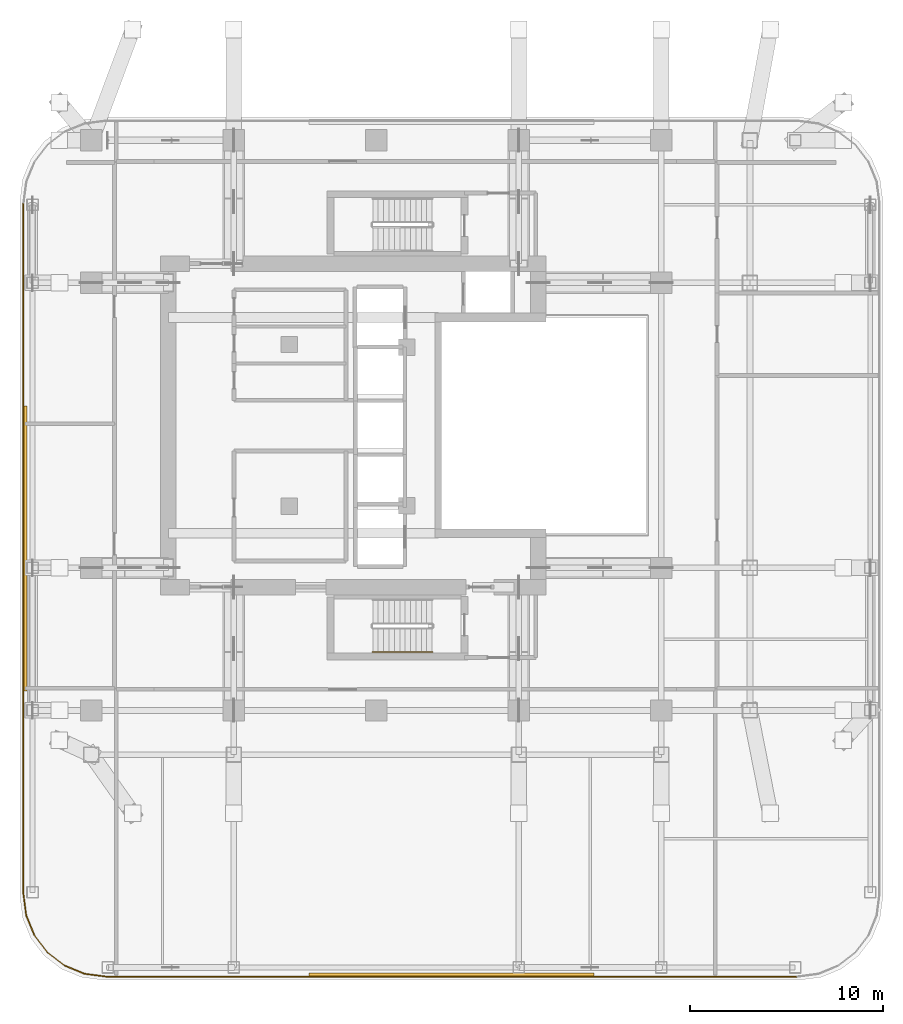
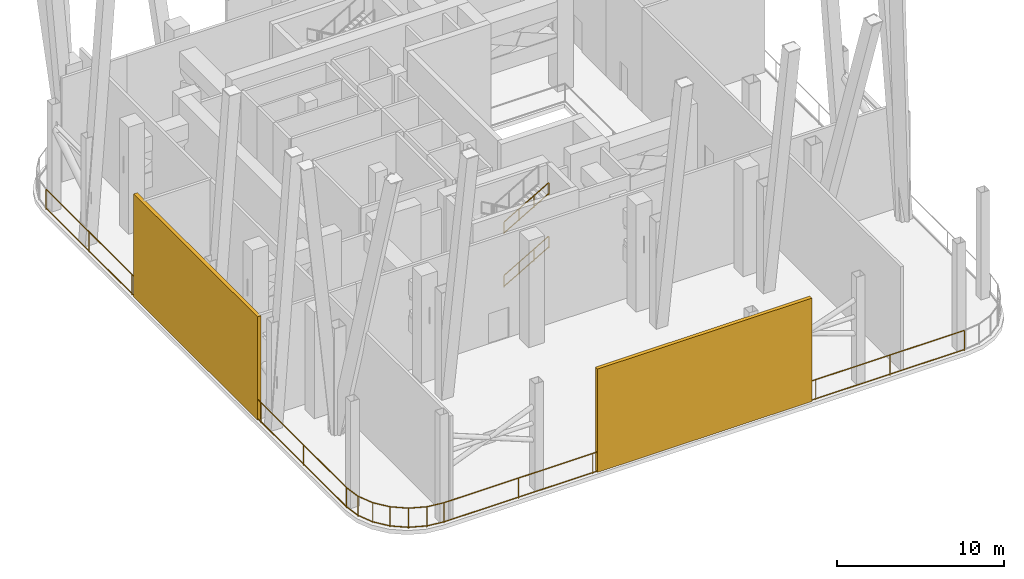
# One storey, part 7 of 9: 10 railings, 2 shading devices.
"""IFC4 building model written with IfcOpenShell, lengths in metres."""

from ifc_helpers import new_model, si_unit, direction, frame, origin, origin_2d, place, context, subcontext, project, spatial, rectangle, extrude, material, layer, layer_set, type_object, element, save


model = new_model("IFC4")

# Units and contexts
model_context = context("Model", 3, precision=1e-05, world=origin(), true_north=direction((0.0, 1.0)))
body_context = subcontext(model_context, "Body", "Model", "MODEL_VIEW")
ifc_project = project(units=[si_unit("LENGTHUNIT", "METRE"), si_unit("AREAUNIT", "SQUARE_METRE"), si_unit("VOLUMEUNIT", "CUBIC_METRE"), si_unit("PLANEANGLEUNIT", "RADIAN"), si_unit("MASSUNIT", "GRAM", prefix="KILO")], contexts=[model_context])

# Site, building, storey
site_placement = place(None, origin())
site = spatial("IfcSite", under=ifc_project, at=site_placement, CompositionType="ELEMENT")
building_placement = place(site_placement, origin())
building = spatial("IfcBuilding", under=site, at=building_placement, Name="Khorvyn Point Tower", CompositionType="ELEMENT")
storey_placement = place(building_placement, frame((0.0, 0.0, 235.199951171875)))
storey = spatial("IfcBuildingStorey", under=building, at=storey_placement, Name="L58", CompositionType="ELEMENT", Elevation=235.199951171875)

# Shading devices
ifc_material_1 = material(Name="Pale anodised aluminium 6063-T6", Category="aluminium")
ifc_layer = layer(ifc_material_1, 0.25)
ifc_layer_set = layer_set([ifc_layer], Name="Acoustic Hurricane-Louvre Plant Screen")
shading_device_type = type_object("IfcShadingDeviceType", Name="Acoustic Hurricane-Louvre Plant Screen", PredefinedType="JALOUSIE", material=ifc_layer_set)
shading_device_1_placement = place(storey_placement, frame((3.89990234375, -28.550048828125, 0.02001953125), z_axis=(0.0, 0.0, 1.0), x_axis=(1.0, 0.0, 0.0)))
element("IfcShadingDevice", 1, at=shading_device_1_placement, inside=storey, type_object=shading_device_type, Name="L58 Acoustic Hurricane Plant Louvre S", PredefinedType="JALOUSIE", context=body_context, shape_type="SweptSolid", body=[
    extrude(rectangle(XDim=14.800048828125, YDim=0.25, at=origin_2d()), origin(), (0.0, 0.0, 1.0), 7.5400390625),
])
shading_device_2_placement = place(storey_placement, frame((-18.25, -6.39990234375, 0.02001953125), z_axis=(0.0, 0.0, 1.0), x_axis=(1.0, 0.0, 0.0)))
element("IfcShadingDevice", 2, at=shading_device_2_placement, inside=storey, type_object=shading_device_type, Name="L58 Acoustic Hurricane Plant Louvre W", PredefinedType="JALOUSIE", context=body_context, shape_type="SweptSolid", body=[
    extrude(rectangle(XDim=0.25, YDim=14.800048828125, at=origin_2d()), origin(), (0.0, 0.0, 1.0), 7.5400390625),
])

# Railings
ifc_material_2 = material(Name="Stainless steel 1.4401", Category="steel")
railing_type_1 = type_object("IfcRailingType", Name="School Terrace Anti-Climb Safety Guardrail 1500", PredefinedType="GUARDRAIL", material=ifc_material_2)
railing_1_placement = place(storey_placement, frame((-18.32080078125, 11.55517578125, 0.0)))
element("IfcRailing", 3, at=railing_1_placement, inside=storey, type_object=railing_type_1, Name="L58 Open Wind-Floor Perimeter Guardrail 21", PredefinedType="GUARDRAIL", context=body_context, shape_type="SweptSolid", body=[
    extrude(rectangle(XDim=0.048095703125, YDim=0.048095703125, at=origin_2d()), frame((0.0, 0.0, 1.47607421875), z_axis=(0.0, -1.0, 0.0), x_axis=(1.0, 0.0, 0.0)), (0.0, 0.0, 1.0), 35.910400390625),
    extrude(rectangle(XDim=0.048095703125, YDim=0.048095703125, at=origin_2d()), frame((0.0, 0.0, 0.080078125), z_axis=(0.0, -1.0, 0.0), x_axis=(1.0, 0.0, 0.0)), (0.0, 0.0, 1.0), 35.910400390625),
    extrude(rectangle(XDim=0.0419921875, YDim=0.0419921875, at=origin_2d()), origin(), (0.0, 0.0, 1.0), 1.451904296875),
    extrude(rectangle(XDim=0.0419921875, YDim=0.0419921875, at=origin_2d()), frame((0.0, -5.130126953125, 0.0)), (0.0, 0.0, 1.0), 1.451904296875),
    extrude(rectangle(XDim=0.0419921875, YDim=0.0419921875, at=origin_2d()), frame((0.0, -10.260009765625, 0.0)), (0.0, 0.0, 1.0), 1.451904296875),
    extrude(rectangle(XDim=0.0419921875, YDim=0.0419921875, at=origin_2d()), frame((0.0, -15.39013671875, 0.0)), (0.0, 0.0, 1.0), 1.451904296875),
    extrude(rectangle(XDim=0.0419921875, YDim=0.0419921875, at=origin_2d()), frame((0.0, -20.520263671875, 0.0)), (0.0, 0.0, 1.0), 1.451904296875),
    extrude(rectangle(XDim=0.0419921875, YDim=0.0419921875, at=origin_2d()), frame((0.0, -25.650390625, 0.0)), (0.0, 0.0, 1.0), 1.451904296875),
    extrude(rectangle(XDim=0.0419921875, YDim=0.0419921875, at=origin_2d()), frame((0.0, -30.7802734375, 0.0)), (0.0, 0.0, 1.0), 1.451904296875),
    extrude(rectangle(XDim=0.0419921875, YDim=0.0419921875, at=origin_2d()), frame((0.0, -35.910400390625, 0.0)), (0.0, 0.0, 1.0), 1.451904296875),
])
railing_2_placement = place(storey_placement, frame((-18.32080078125, -24.355224609375, 0.0)))
element("IfcRailing", 4, at=railing_2_placement, inside=storey, type_object=railing_type_1, Name="L58 Open Wind-Floor Perimeter Guardrail 22", PredefinedType="GUARDRAIL", context=body_context, shape_type="SweptSolid", body=[
    extrude(rectangle(XDim=0.048095703125, YDim=0.048095703125, at=origin_2d()), frame((0.0, 0.0, 1.47607421875), z_axis=(0.130454512571, -0.991454295543, 0.0), x_axis=(0.991454295543, 0.130454512571, 0.0)), (0.0, 0.0, 1.0), 1.113525390625),
    extrude(rectangle(XDim=0.048095703125, YDim=0.048095703125, at=origin_2d()), frame((0.0, 0.0, 0.080078125), z_axis=(0.130454512571, -0.991454295543, 0.0), x_axis=(0.991454295543, 0.130454512571, 0.0)), (0.0, 0.0, 1.0), 1.113525390625),
    extrude(rectangle(XDim=0.0419921875, YDim=0.0419921875, at=origin_2d()), origin(), (0.0, 0.0, 1.0), 1.451904296875),
    extrude(rectangle(XDim=0.0419921875, YDim=0.0419921875, at=origin_2d()), frame((0.145263671875, -1.10400390625, 0.0)), (0.0, 0.0, 1.0), 1.451904296875),
])
railing_3_placement = place(storey_placement, frame((-18.175537109375, -25.459228515625, 0.0)))
element("IfcRailing", 5, at=railing_3_placement, inside=storey, type_object=railing_type_1, Name="L58 Open Wind-Floor Perimeter Guardrail 23", PredefinedType="GUARDRAIL", context=body_context, shape_type="SweptSolid", body=[
    extrude(rectangle(XDim=0.048095703125, YDim=0.048095703125, at=origin_2d()), frame((0.0, 0.0, 1.47607421875), z_axis=(0.38277775067, -0.923840458949, 0.0), x_axis=(0.923840458949, 0.38277775067, 0.0)), (0.0, 0.0, 1.0), 1.113525390625),
    extrude(rectangle(XDim=0.048095703125, YDim=0.048095703125, at=origin_2d()), frame((0.0, 0.0, 0.080078125), z_axis=(0.38277775067, -0.923840458949, 0.0), x_axis=(0.923840458949, 0.38277775067, 0.0)), (0.0, 0.0, 1.0), 1.113525390625),
    extrude(rectangle(XDim=0.0419921875, YDim=0.0419921875, at=origin_2d()), origin(), (0.0, 0.0, 1.0), 1.451904296875),
    extrude(rectangle(XDim=0.0419921875, YDim=0.0419921875, at=origin_2d()), frame((0.42626953125, -1.02880859375, 0.0)), (0.0, 0.0, 1.0), 1.451904296875),
])
railing_4_placement = place(storey_placement, frame((-17.749267578125, -26.488037109375, 0.0)))
element("IfcRailing", 6, at=railing_4_placement, inside=storey, type_object=railing_type_1, Name="L58 Open Wind-Floor Perimeter Guardrail 24", PredefinedType="GUARDRAIL", context=body_context, shape_type="SweptSolid", body=[
    extrude(rectangle(XDim=0.048095703125, YDim=0.048095703125, at=origin_2d()), frame((0.0, 0.0, 1.47607421875), z_axis=(0.608629445327, -0.793454597492, 0.0), x_axis=(0.793454597492, 0.608629445327, 0.0)), (0.0, 0.0, 1.0), 1.113525390625),
    extrude(rectangle(XDim=0.048095703125, YDim=0.048095703125, at=origin_2d()), frame((0.0, 0.0, 0.080078125), z_axis=(0.608629445327, -0.793454597492, 0.0), x_axis=(0.793454597492, 0.608629445327, 0.0)), (0.0, 0.0, 1.0), 1.113525390625),
    extrude(rectangle(XDim=0.0419921875, YDim=0.0419921875, at=origin_2d()), origin(), (0.0, 0.0, 1.0), 1.451904296875),
    extrude(rectangle(XDim=0.0419921875, YDim=0.0419921875, at=origin_2d()), frame((0.677734375, -0.883544921875, 0.0)), (0.0, 0.0, 1.0), 1.451904296875),
])
railing_5_placement = place(storey_placement, frame((-17.071533203125, -27.37158203125, 0.0)))
element("IfcRailing", 7, at=railing_5_placement, inside=storey, type_object=railing_type_1, Name="L58 Open Wind-Floor Perimeter Guardrail 25", PredefinedType="GUARDRAIL", context=body_context, shape_type="SweptSolid", body=[
    extrude(rectangle(XDim=0.048095703125, YDim=0.048095703125, at=origin_2d()), frame((0.0, 0.0, 1.47607421875), z_axis=(0.793454597492, -0.608629445327, 0.0), x_axis=(0.608629445327, 0.793454597492, 0.0)), (0.0, 0.0, 1.0), 1.113525390625),
    extrude(rectangle(XDim=0.048095703125, YDim=0.048095703125, at=origin_2d()), frame((0.0, 0.0, 0.080078125), z_axis=(0.793454597492, -0.608629445327, 0.0), x_axis=(0.608629445327, 0.793454597492, 0.0)), (0.0, 0.0, 1.0), 1.113525390625),
    extrude(rectangle(XDim=0.0419921875, YDim=0.0419921875, at=origin_2d()), origin(), (0.0, 0.0, 1.0), 1.451904296875),
    extrude(rectangle(XDim=0.0419921875, YDim=0.0419921875, at=origin_2d()), frame((0.883544921875, -0.677734375, 0.0)), (0.0, 0.0, 1.0), 1.451904296875),
])
railing_6_placement = place(storey_placement, frame((-16.18798828125, -28.04931640625, 0.0)))
element("IfcRailing", 8, at=railing_6_placement, inside=storey, type_object=railing_type_1, Name="L58 Open Wind-Floor Perimeter Guardrail 26", PredefinedType="GUARDRAIL", context=body_context, shape_type="SweptSolid", body=[
    extrude(rectangle(XDim=0.048095703125, YDim=0.048095703125, at=origin_2d()), frame((0.0, 0.0, 1.47607421875), z_axis=(0.923840458949, -0.38277775067, 0.0), x_axis=(0.38277775067, 0.923840458949, 0.0)), (0.0, 0.0, 1.0), 1.113525390625),
    extrude(rectangle(XDim=0.048095703125, YDim=0.048095703125, at=origin_2d()), frame((0.0, 0.0, 0.080078125), z_axis=(0.923840458949, -0.38277775067, 0.0), x_axis=(0.38277775067, 0.923840458949, 0.0)), (0.0, 0.0, 1.0), 1.113525390625),
    extrude(rectangle(XDim=0.0419921875, YDim=0.0419921875, at=origin_2d()), origin(), (0.0, 0.0, 1.0), 1.451904296875),
    extrude(rectangle(XDim=0.0419921875, YDim=0.0419921875, at=origin_2d()), frame((1.02880859375, -0.42626953125, 0.0)), (0.0, 0.0, 1.0), 1.451904296875),
])
railing_7_placement = place(storey_placement, frame((-15.1591796875, -28.4755859375, 0.0)))
element("IfcRailing", 9, at=railing_7_placement, inside=storey, type_object=railing_type_1, Name="L58 Open Wind-Floor Perimeter Guardrail 27", PredefinedType="GUARDRAIL", context=body_context, shape_type="SweptSolid", body=[
    extrude(rectangle(XDim=0.048095703125, YDim=0.048095703125, at=origin_2d()), frame((0.0, 0.0, 1.47607421875), z_axis=(0.991454295543, -0.130454512571, 0.0), x_axis=(0.130454512571, 0.991454295543, 0.0)), (0.0, 0.0, 1.0), 1.113525390625),
    extrude(rectangle(XDim=0.048095703125, YDim=0.048095703125, at=origin_2d()), frame((0.0, 0.0, 0.080078125), z_axis=(0.991454295543, -0.130454512571, 0.0), x_axis=(0.130454512571, 0.991454295543, 0.0)), (0.0, 0.0, 1.0), 1.113525390625),
    extrude(rectangle(XDim=0.0419921875, YDim=0.0419921875, at=origin_2d()), origin(), (0.0, 0.0, 1.0), 1.451904296875),
    extrude(rectangle(XDim=0.0419921875, YDim=0.0419921875, at=origin_2d()), frame((1.10400390625, -0.145263671875, 0.0)), (0.0, 0.0, 1.0), 1.451904296875),
])
railing_8_placement = place(storey_placement, frame((-14.05517578125, -28.620849609375, 0.0)))
element("IfcRailing", 10, at=railing_8_placement, inside=storey, type_object=railing_type_1, Name="L58 Open Wind-Floor Perimeter Guardrail 28", PredefinedType="GUARDRAIL", context=body_context, shape_type="SweptSolid", body=[
    extrude(rectangle(XDim=0.048095703125, YDim=0.048095703125, at=origin_2d()), frame((0.0, 0.0, 1.47607421875), z_axis=(1.0, 0.0, 0.0), x_axis=(0.0, 1.0, 0.0)), (0.0, 0.0, 1.0), 35.910400390625),
    extrude(rectangle(XDim=0.048095703125, YDim=0.048095703125, at=origin_2d()), frame((0.0, 0.0, 0.080078125), z_axis=(1.0, 0.0, 0.0), x_axis=(0.0, 1.0, 0.0)), (0.0, 0.0, 1.0), 35.910400390625),
    extrude(rectangle(XDim=0.0419921875, YDim=0.0419921875, at=origin_2d()), origin(), (0.0, 0.0, 1.0), 1.451904296875),
    extrude(rectangle(XDim=0.0419921875, YDim=0.0419921875, at=origin_2d()), frame((5.130126953125, 0.0, 0.0)), (0.0, 0.0, 1.0), 1.451904296875),
    extrude(rectangle(XDim=0.0419921875, YDim=0.0419921875, at=origin_2d()), frame((10.260009765625, 0.0, 0.0)), (0.0, 0.0, 1.0), 1.451904296875),
    extrude(rectangle(XDim=0.0419921875, YDim=0.0419921875, at=origin_2d()), frame((15.39013671875, 0.0, 0.0)), (0.0, 0.0, 1.0), 1.451904296875),
    extrude(rectangle(XDim=0.0419921875, YDim=0.0419921875, at=origin_2d()), frame((20.520263671875, 0.0, 0.0)), (0.0, 0.0, 1.0), 1.451904296875),
    extrude(rectangle(XDim=0.0419921875, YDim=0.0419921875, at=origin_2d()), frame((25.650390625, 0.0, 0.0)), (0.0, 0.0, 1.0), 1.451904296875),
    extrude(rectangle(XDim=0.0419921875, YDim=0.0419921875, at=origin_2d()), frame((30.7802734375, 0.0, 0.0)), (0.0, 0.0, 1.0), 1.451904296875),
    extrude(rectangle(XDim=0.0419921875, YDim=0.0419921875, at=origin_2d()), frame((35.910400390625, 0.0, 0.0)), (0.0, 0.0, 1.0), 1.451904296875),
])
ifc_material_3 = material(Name="Stainless steel 1.4301", Category="steel")
railing_type_2 = type_object("IfcRailingType", Name="Stainless Steel 304 Stair Pitch Handrail 900", PredefinedType="HANDRAIL", material=ifc_material_3)
for number, where, name in (
    (11, (-0.179931640625, -11.77001953125, 2.112548828125), "L58 ST-01 stair handrail 2"),
    (12, (-0.179931640625, -11.77001953125, 6.012451171875), "L58 ST-01 stair handrail 4"),
):
    element("IfcRailing", number, at=place(storey_placement, frame(where)), inside=storey, type_object=railing_type_2, Name=name, PredefinedType="HANDRAIL", context=body_context, shape_type="SweptSolid", body=[
        extrude(rectangle(XDim=0.048095703125, YDim=0.048095703125, at=origin_2d()), frame((0.0, 0.0, 0.8759765625), z_axis=(0.864873446163, 0.0, 0.501989962173), x_axis=(0.0, 1.0, 0.0)), (0.0, 0.0, 1.0), 3.56103515625),
        extrude(rectangle(XDim=0.048095703125, YDim=0.048095703125, at=origin_2d()), frame((0.0, 0.0, 0.080078125), z_axis=(0.864873446163, 0.0, 0.501989962173), x_axis=(0.0, 1.0, 0.0)), (0.0, 0.0, 1.0), 3.56103515625),
        extrude(rectangle(XDim=0.0419921875, YDim=0.0419921875, at=origin_2d()), origin(), (0.0, 0.0, 1.0), 0.851806640625),
        extrude(rectangle(XDim=0.0419921875, YDim=0.0419921875, at=origin_2d()), frame((1.026611328125, 0.0, 0.595947265625)), (0.0, 0.0, 1.0), 0.851806640625),
        extrude(rectangle(XDim=0.0419921875, YDim=0.0419921875, at=origin_2d()), frame((2.05322265625, 0.0, 1.191650390625)), (0.0, 0.0, 1.0), 0.851806640625),
        extrude(rectangle(XDim=0.0419921875, YDim=0.0419921875, at=origin_2d()), frame((3.079833984375, 0.0, 1.78759765625)), (0.0, 0.0, 1.0), 0.851806640625),
    ])

save(model, "model.ifc")
